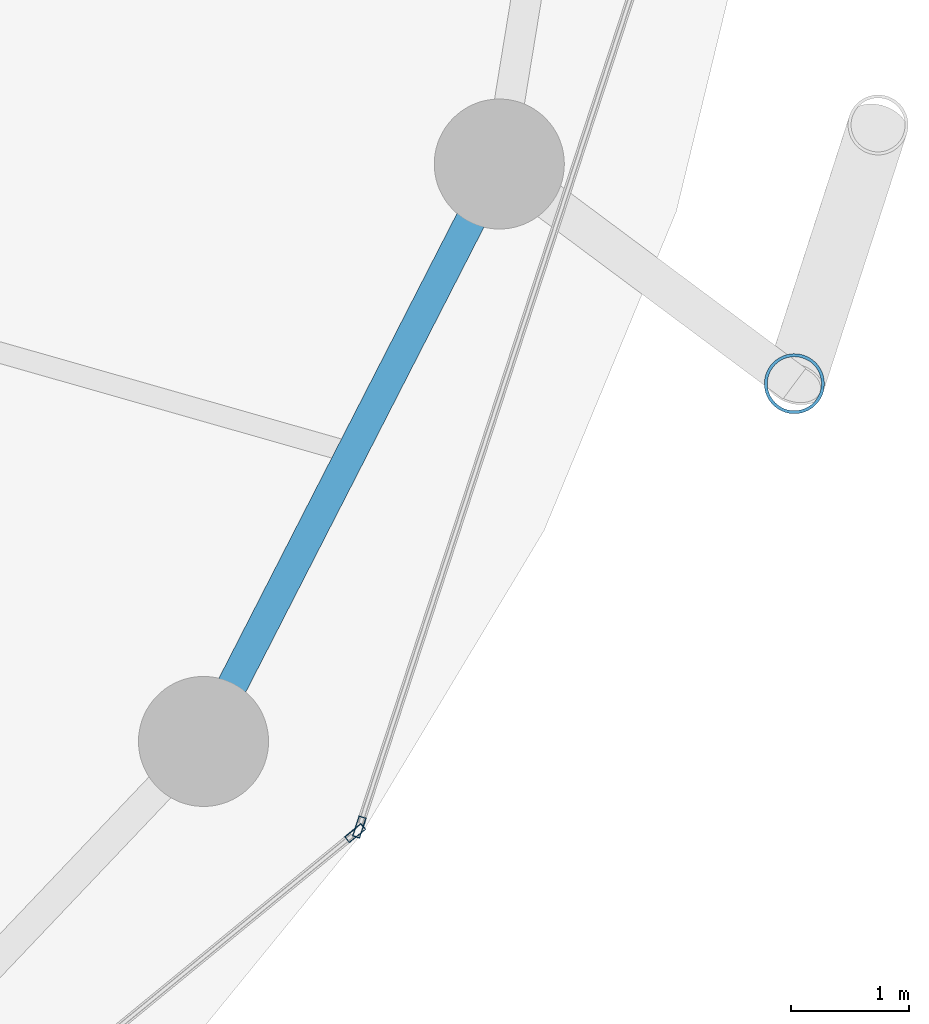
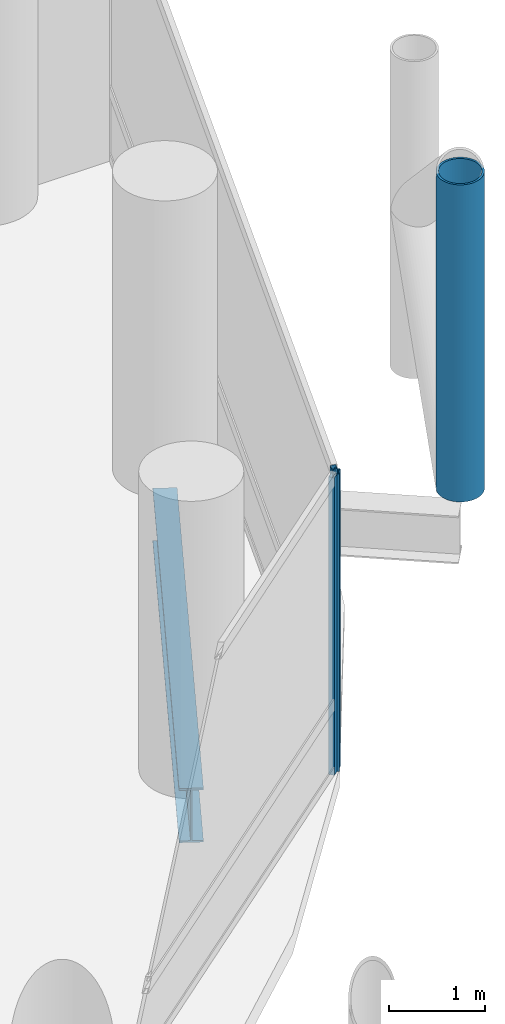
# One storey, part 10 of 24: 3 members, 1 beam, 2 elements without a shape of their own.
"""IFC4 building model written with IfcOpenShell, lengths in metres."""

from ifc_helpers import new_model, si_unit, direction, frame, origin, origin_2d, place, context, subcontext, project, spatial, hollow_rectangle, hollow_circle, i_section, extrude, material, layer, layer_set, material_profile, profile_set, type_object, element, aggregate, save


model = new_model("IFC4")

# Units and contexts
model_context = context("Model", 3, precision=1e-05, world=origin(), true_north=direction((0.0, 1.0)))
body_context = subcontext(model_context, "Body", "Model", "MODEL_VIEW")
ifc_project = project(units=[si_unit("LENGTHUNIT", "METRE"), si_unit("AREAUNIT", "SQUARE_METRE"), si_unit("VOLUMEUNIT", "CUBIC_METRE"), si_unit("PLANEANGLEUNIT", "RADIAN"), si_unit("MASSUNIT", "GRAM", prefix="KILO")], contexts=[model_context])

# Site, building, storey
site_placement = place(None, origin())
site = spatial("IfcSite", under=ifc_project, at=site_placement, CompositionType="ELEMENT")
building_placement = place(site_placement, origin())
building = spatial("IfcBuilding", under=site, at=building_placement, Name="Nuhasar Tower", CompositionType="ELEMENT")
storey_placement = place(building_placement, frame((0.0, 0.0, 73.64990234375)))
storey = spatial("IfcBuildingStorey", under=building, at=storey_placement, Name="L17", CompositionType="ELEMENT", Elevation=73.64990234375)

# Beam
ifc_material_1 = material(Name="Steel S355", Category="steel")
ifc_material_profile_1 = material_profile(ifc_material_1, i_section(OverallWidth=0.256103515625, OverallDepth=0.693115234375, WebThickness=0.014404296875, FlangeThickness=0.023681640625, at=origin_2d()), Name="W27X114")
ifc_profile_set_1 = profile_set([ifc_material_profile_1], Name="Steel S355")
beam_type = type_object("IfcBeamType", Name="BM-RING-W27X114", PredefinedType="SPANDREL", material=ifc_profile_set_1)
beam_placement = place(storey_placement, frame((60.694091796875, 16.675048828125, -0.596923828125), z_axis=(0.455930023905, 0.890015625314, 0.0), x_axis=(-0.890015625314, 0.455930023905, 0.0)))
element("IfcBeam", 1, at=beam_placement, inside=storey, type_object=beam_type, Name="L17 Perimeter Ring Spandrel 23", PredefinedType="SPANDREL", context=body_context, shape_type="SweptSolid", body=[
    extrude(i_section(OverallWidth=0.256103515625, OverallDepth=0.693115234375, WebThickness=0.014404296875, FlangeThickness=0.023681640625, at=origin_2d()), origin(), (0.0, 0.0, 1.0), 5.487548828125),
])

# Curtain wall, member
ifc_material_2 = material(Name="Aluminium 6063-T6", Category="aluminium")
ifc_layer = layer(ifc_material_2, 0.199951171875)
ifc_layer_set = layer_set([ifc_layer], Name="Aluminium 6063-T6")
curtain_wall_type = type_object("IfcCurtainWallType", Name="CW-Z1-OFF", PredefinedType="NOTDEFINED", material=ifc_layer_set)
curtain_wall_1_placement = place(storey_placement, origin())
curtain_wall_1 = element("IfcCurtainWall", 2, at=curtain_wall_1_placement, inside=storey, type_object=curtain_wall_type, Name="L17 Unitised Curtain Wall 11", PredefinedType="NOTDEFINED")
ifc_material_profile_2 = material_profile(ifc_material_2, hollow_rectangle(XDim=0.06494140625, YDim=0.179931640625, WallThickness=0.0048828125, at=origin_2d()), Name="CWM-2")
ifc_profile_set_2 = profile_set([ifc_material_profile_2], Name="Aluminium 6063-T6")
member_type_1 = type_object("IfcMemberType", Name="CW-MUL-S2", PredefinedType="MULLION", material=ifc_profile_set_2)
member_1_placement = place(storey_placement, frame((61.976806640625, 15.8994140625, 0.0), z_axis=(0.0, 0.0, 1.0), x_axis=(-0.633744593376, 0.773542364946, 0.0)))
member_1 = element("IfcMember", 3, at=member_1_placement, type_object=member_type_1, Name="CW-Z1 mullion 2", PredefinedType="MULLION", context=body_context, shape_type="SweptSolid", body=[
    extrude(hollow_rectangle(XDim=0.06494140625, YDim=0.179931640625, WallThickness=0.0048828125, at=origin_2d()), origin(), (0.0, 0.0, 1.0), 3.800048828125),
])
aggregate(curtain_wall_1, [member_1])

curtain_wall_2_placement = place(storey_placement, origin())
curtain_wall_2 = element("IfcCurtainWall", 4, at=curtain_wall_2_placement, inside=storey, type_object=curtain_wall_type, Name="L17 Unitised Curtain Wall 12", PredefinedType="NOTDEFINED")
member_2_placement = place(storey_placement, frame((62.01220703125, 15.950927734375, 0.0), z_axis=(0.0, 0.0, 1.0), x_axis=(-0.950467534571, 0.310823849997, 0.0)))
member_2 = element("IfcMember", 5, at=member_2_placement, type_object=member_type_1, Name="CW-Z1 mullion 1", PredefinedType="MULLION", context=body_context, shape_type="SweptSolid", body=[
    extrude(hollow_rectangle(XDim=0.06494140625, YDim=0.179931640625, WallThickness=0.0048828125, at=origin_2d()), origin(), (0.0, 0.0, 1.0), 3.800048828125),
])
aggregate(curtain_wall_2, [member_2])

# Member
ifc_material_3 = material(Name="Steel S460", Category="steel")
ifc_material_profile_3 = material_profile(ifc_material_3, hollow_circle(Radius=0.25390625, WallThickness=0.025390625, at=origin_2d()), Name="HSS508X25.4")
ifc_profile_set_3 = profile_set([ifc_material_profile_3], Name="Steel S460")
member_type_2 = type_object("IfcMemberType", Name="EXO-BRONZE-508", PredefinedType="BRACE", material=ifc_profile_set_3)
member_3_placement = place(storey_placement, frame((65.69189453125, 19.700927734375, 0.0), z_axis=(0.0, 0.0, 1.0), x_axis=(1.0, 0.0, 0.0)))
element("IfcMember", 6, at=member_3_placement, inside=storey, type_object=member_type_2, Name="L17 Exoskeleton Chord Column EC-12A", PredefinedType="BRACE", context=body_context, shape_type="SweptSolid", body=[
    extrude(hollow_circle(Radius=0.25390625, WallThickness=0.025390625, at=origin_2d()), origin(), (0.0, 0.0, 1.0), 4.050048828125),
])

save(model, "model.ifc")
